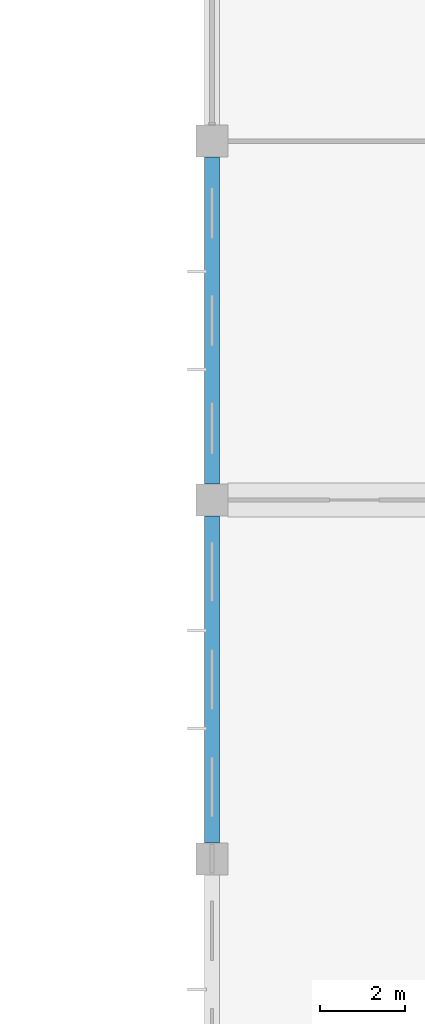
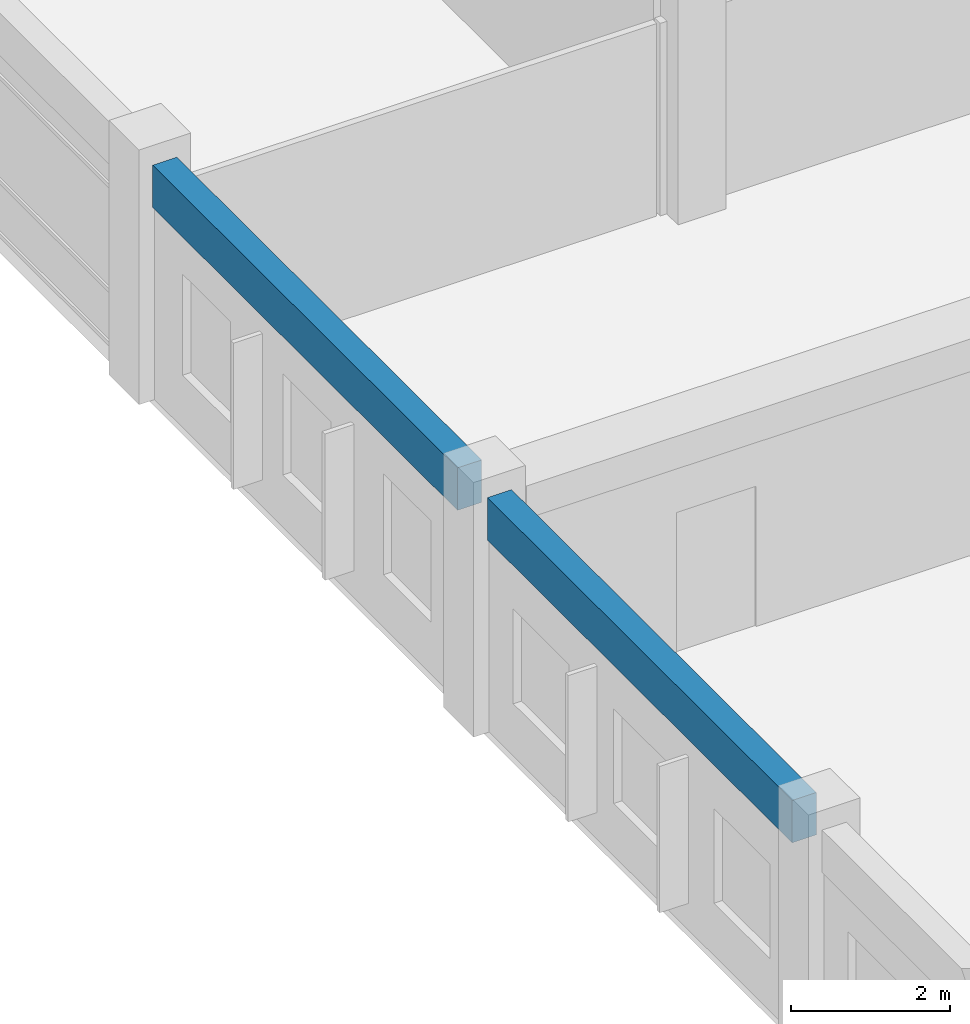
# One storey, part 21 of 72: 2 beams.
"""IFC4 building model written with IfcOpenShell, lengths in metres."""

import ifcopenshell
import ifcopenshell.guid

model = None  # the IFC model being written
_history = None  # IfcOwnerHistory: only IFC2X3 demands one
_inside = {}  # id of a spatial element -> (the spatial element, [elements in it])
_under = {}  # id of a project, library or spatial element -> (it, [spatial elements below it])
_declared = {}  # id of a project -> (the project, [libraries it declares])
_typed = {}  # id of a type object -> (the type object, [elements of that type])
_made_of = {}  # id of a material, layer set ... -> (it, [elements and type objects made of it])


def new_model(schema):
    """Start an empty IFC model of exactly this schema.

    Asked for "IFC4X3", IfcOpenShell would pick the latest addendum, in which some entities
    have other attributes; the version numbers below select the first issue.
    IFC2X3 requires an IfcOwnerHistory on every rooted entity: one is made here for all.
    """
    global model, _history
    if schema == "IFC4X3":
        model = ifcopenshell.file(schema_version=(4, 3, 0, 0))
    else:
        model = ifcopenshell.file(schema=schema)
    _inside.clear()
    _under.clear()
    _declared.clear()
    _typed.clear()
    _made_of.clear()
    _history = None
    if model.schema == "IFC2X3":
        org = make("IfcOrganization", Name="unknown")
        user = make(
            "IfcPersonAndOrganization",
            ThePerson=make("IfcPerson", FamilyName="unknown"),
            TheOrganization=org,
        )
        app = make(
            "IfcApplication",
            ApplicationDeveloper=org,
            Version="unknown",
            ApplicationFullName="unknown",
            ApplicationIdentifier="unknown",
        )
        _history = make(
            "IfcOwnerHistory",
            OwningUser=user,
            OwningApplication=app,
            ChangeAction="ADDED",
            CreationDate=0,
        )
    return model


def make(cls, **values):
    """One entity of the class cls with the attributes given. An attribute that is None is left unset."""
    return model.create_entity(
        cls, **{name: value for name, value in values.items() if value is not None}
    )


def rooted(cls, **values):
    """An entity with a GlobalId (a new one), such as an element, a storey or a relation."""
    return make(cls, GlobalId=ifcopenshell.guid.new(), OwnerHistory=_history, **values)


def si_unit(unit_type, name, prefix=None):
    """IfcSIUnit, for example si_unit("LENGTHUNIT", "METRE", prefix="MILLI")."""
    return make("IfcSIUnit", UnitType=unit_type, Prefix=prefix, Name=name)


def assignment(units):
    """IfcUnitAssignment: the units of a project."""
    return None if units is None else make("IfcUnitAssignment", Units=units)


def point(xyz):
    """IfcCartesianPoint."""
    return None if xyz is None else make("IfcCartesianPoint", Coordinates=xyz)


def direction(xyz):
    """IfcDirection."""
    return None if xyz is None else make("IfcDirection", DirectionRatios=xyz)


def frame(location, z_axis=None, x_axis=None):
    """IfcAxis2Placement3D, a coordinate frame: its origin and axes. An axis left out is left unset."""
    return make(
        "IfcAxis2Placement3D",
        Location=point(location),
        Axis=direction(z_axis),
        RefDirection=direction(x_axis),
    )


def frame_2d(location, x_axis=None):
    """IfcAxis2Placement2D, a coordinate frame in the plane: its origin and x axis."""
    return make(
        "IfcAxis2Placement2D", Location=point(location), RefDirection=direction(x_axis)
    )


def origin():
    """The frame at (0, 0, 0) with its axes left unset."""
    return frame((0.0, 0.0, 0.0))


def origin_2d():
    """The frame at (0, 0) in the plane with its x axis left unset."""
    return frame_2d((0.0, 0.0))


def place(relative_to, where):
    """IfcLocalPlacement: puts the frame where relative to a parent placement (None: the world)."""
    return make(
        "IfcLocalPlacement", PlacementRelTo=relative_to, RelativePlacement=where
    )


def context(
    kind, dimensions, precision=None, world=None, true_north=None, identifier=None
):
    """IfcGeometricRepresentationContext, for example the 3D "Model" context."""
    return make(
        "IfcGeometricRepresentationContext",
        ContextIdentifier=identifier,
        ContextType=kind,
        CoordinateSpaceDimension=dimensions,
        Precision=precision,
        WorldCoordinateSystem=world,
        TrueNorth=true_north,
    )


def subcontext(parent, identifier, kind, view, scale=None):
    """IfcGeometricRepresentationSubContext, for example "Body" below "Model"."""
    return make(
        "IfcGeometricRepresentationSubContext",
        ContextIdentifier=identifier,
        ContextType=kind,
        ParentContext=parent,
        TargetScale=scale,
        TargetView=view,
    )


def project(units=None, contexts=None):
    """IfcProject with its units and contexts."""
    return rooted(
        "IfcProject",
        Name="project",
        RepresentationContexts=contexts,
        UnitsInContext=assignment(units),
    )


def spatial(cls, under=None, at=None, **own):
    """A site, building, storey or space (cls), placed at a placement, below another one or the project."""
    s = rooted(cls, ObjectPlacement=at, **own)
    if under is not None:
        _under.setdefault(under.id(), (under, []))[1].append(s)
    return s


def profile(cls, at=None, kind="AREA", **sizes):
    """A parametric profile (cls). Its sizes go by their IFC names, for example OverallWidth=200.0."""
    return make(cls, ProfileType=kind, Position=at, **sizes)


def rectangle(**sizes):
    """IfcRectangleProfileDef."""
    return profile("IfcRectangleProfileDef", **sizes)


def extrude(swept, where, along, depth):
    """IfcExtrudedAreaSolid: the profile swept, set in the frame where, extruded along a direction by depth."""
    return make(
        "IfcExtrudedAreaSolid",
        SweptArea=swept,
        Position=where,
        ExtrudedDirection=direction(along),
        Depth=depth,
    )


def shape(context_of_items, identifier, shape_type, items):
    """IfcShapeRepresentation: the items that make up one representation, for example the "Body"."""
    return make(
        "IfcShapeRepresentation",
        ContextOfItems=context_of_items,
        RepresentationIdentifier=identifier,
        RepresentationType=shape_type,
        Items=items,
    )


def material(Name=None, Category=None):
    """IfcMaterial."""
    return make("IfcMaterial", Name=Name, Category=Category)


def material_profile(
    of_material, cross_section, Name=None, Category=None, Priority=None
):
    """IfcMaterialProfile: a cross section and its material."""
    return make(
        "IfcMaterialProfile",
        Name=Name,
        Material=of_material,
        Profile=cross_section,
        Priority=Priority,
        Category=Category,
    )


def profile_set(profiles, Name=None, composite=None):
    """IfcMaterialProfileSet."""
    return make(
        "IfcMaterialProfileSet",
        Name=Name,
        MaterialProfiles=profiles,
        CompositeProfile=composite,
    )


def made_of(thing, what):
    """Note that an element or type object is made of a material, layer set ...; save() writes the relation."""
    if what is not None:
        _made_of.setdefault(what.id(), (what, []))[1].append(thing)
    return thing


def type_object(cls, material=None, **own):
    """A type object (cls), such as IfcWallType, which elements share."""
    return made_of(rooted(cls, **own), material)


def element(
    cls,
    number,
    at=None,
    inside=None,
    cuts=None,
    type_object=None,
    material=None,
    context=None,
    identifier="Body",
    shape_type=None,
    held_by="IfcProductDefinitionShape",
    body=None,
    shapes=None,
    **own,
):
    """One element of the class cls, such as IfcWall. Its Tag is "e" and its number.

    at: its placement. inside: the storey or other place that contains it. cuts: it is an
    opening in that element (IfcRelVoidsElement). A single representation is given by context,
    identifier, shape_type and body (its items); several are given by shapes. held_by: the class
    of the entity that holds the representations. save() writes the other relations.
    """
    e = rooted(cls, Tag="e%d" % number, ObjectPlacement=at, **own)
    if body is not None:
        shapes = [shape(context, identifier, shape_type, body)]
    if shapes is not None:
        e.Representation = make(held_by, Representations=shapes)
    if inside is not None:
        _inside.setdefault(inside.id(), (inside, []))[1].append(e)
    if cuts is not None:
        rooted(
            "IfcRelVoidsElement", RelatingBuildingElement=cuts, RelatedOpeningElement=e
        )
    if type_object is not None:
        _typed.setdefault(type_object.id(), (type_object, []))[1].append(e)
    return made_of(e, material)


def aggregate(whole, parts):
    """IfcRelAggregates: a whole, such as a stair, and the parts it consists of."""
    return rooted("IfcRelAggregates", RelatingObject=whole, RelatedObjects=parts)


def save(model, path):
    """Write the relations noted so far, then the file.

    IfcRelAggregates (storeys below a building ...), IfcRelContainedInSpatialStructure (elements
    in a storey), IfcRelDefinesByType, IfcRelAssociatesMaterial and IfcRelDeclares: one each for
    every whole, place, type object, material and project.
    """
    for whole, parts in _under.values():
        aggregate(whole, parts)
    for where, things in _inside.values():
        rooted(
            "IfcRelContainedInSpatialStructure",
            RelatedElements=things,
            RelatingStructure=where,
        )
    for kind, things in _typed.values():
        rooted("IfcRelDefinesByType", RelatedObjects=things, RelatingType=kind)
    for what, things in _made_of.values():
        rooted("IfcRelAssociatesMaterial", RelatedObjects=things, RelatingMaterial=what)
    for by, libraries in _declared.values():
        rooted("IfcRelDeclares", RelatingContext=by, RelatedDefinitions=libraries)
    model.write(path)


model = new_model("IFC4")

# Units and contexts
model_context = context("Model", 3, precision=1e-05, world=origin(), true_north=direction((0.0, 1.0)))
body_context = subcontext(model_context, "Body", "Model", "MODEL_VIEW")
ifc_project = project(units=[si_unit("LENGTHUNIT", "METRE"), si_unit("AREAUNIT", "SQUARE_METRE"), si_unit("VOLUMEUNIT", "CUBIC_METRE"), si_unit("PLANEANGLEUNIT", "RADIAN"), si_unit("MASSUNIT", "GRAM", prefix="KILO"), si_unit("THERMODYNAMICTEMPERATUREUNIT", "KELVIN"), si_unit("POWERUNIT", "WATT")], contexts=[model_context])

# Site, building, storey
site_placement = place(None, origin())
site = spatial("IfcSite", under=ifc_project, at=site_placement, CompositionType="ELEMENT")
building_placement = place(site_placement, origin())
building = spatial("IfcBuilding", under=site, at=building_placement, Name="Srebrne Nadtorze General Hospital", CompositionType="ELEMENT")
storey_placement = place(building_placement, frame((0.0, 0.0, 22.199951171875)))
storey = spatial("IfcBuildingStorey", under=building, at=storey_placement, Name="L05", CompositionType="ELEMENT", Elevation=22.199951171875)

# Beams
ifc_material = material(Name="Concrete C35/45", Category="concrete")
ifc_material_profile = material_profile(ifc_material, rectangle(XDim=0.35009765625, YDim=0.64990234375, at=origin_2d()), Name="RC-BM-350x650")
ifc_profile_set = profile_set([ifc_material_profile], Name="Concrete C35/45")
beam_type = type_object("IfcBeamType", Name="Edge beam RC 350x650", PredefinedType="BEAM", material=ifc_profile_set)
beam_1_placement = place(storey_placement, frame((101.39990234375, 17.175048828125, 3.275146484375), z_axis=(0.0, 1.0, 0.0), x_axis=(-1.0, 0.0, 0.0)))
element("IfcBeam", 1, at=beam_1_placement, inside=storey, type_object=beam_type, Name="Beam BM-L05-Y-1095", PredefinedType="BEAM", context=body_context, shape_type="SweptSolid", body=[
    extrude(rectangle(XDim=0.35009765625, YDim=0.64990234375, at=origin_2d()), origin(), (0.0, 0.0, 1.0), 7.64990234375),
])
beam_2_placement = place(storey_placement, frame((101.39990234375, 25.574951171875, 3.275146484375), z_axis=(0.0, 1.0, 0.0), x_axis=(-1.0, 0.0, 0.0)))
element("IfcBeam", 2, at=beam_2_placement, inside=storey, type_object=beam_type, Name="Beam BM-L05-Y-1096", PredefinedType="BEAM", context=body_context, shape_type="SweptSolid", body=[
    extrude(rectangle(XDim=0.35009765625, YDim=0.64990234375, at=origin_2d()), origin(), (0.0, 0.0, 1.0), 7.650146484375),
])

save(model, "model.ifc")
